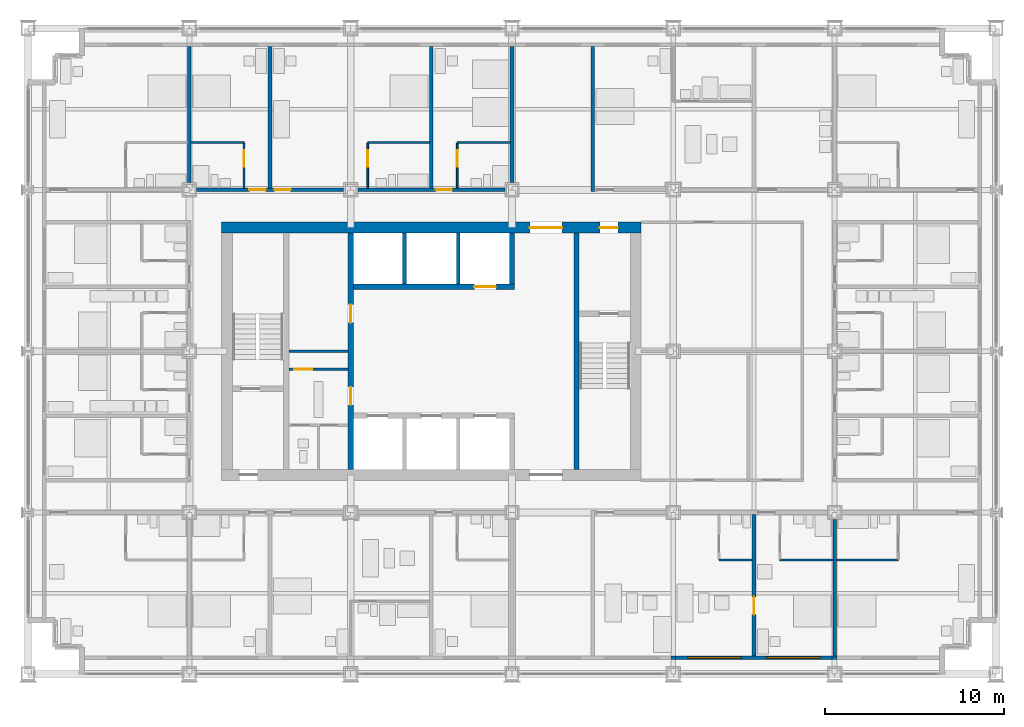
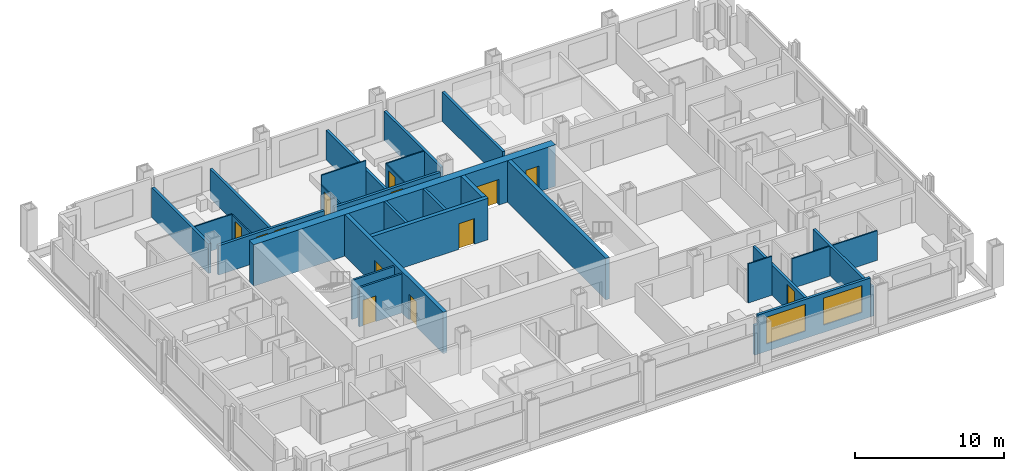
# One storey, part 12 of 18: 30 walls, 13 doors, 2 windows, 15 openings.
"""IFC4 building model written with IfcOpenShell, lengths in metres."""

import ifcopenshell
import ifcopenshell.guid

model = None  # the IFC model being written
_history = None  # IfcOwnerHistory: only IFC2X3 demands one
_inside = {}  # id of a spatial element -> (the spatial element, [elements in it])
_under = {}  # id of a project, library or spatial element -> (it, [spatial elements below it])
_declared = {}  # id of a project -> (the project, [libraries it declares])
_typed = {}  # id of a type object -> (the type object, [elements of that type])
_made_of = {}  # id of a material, layer set ... -> (it, [elements and type objects made of it])


def new_model(schema):
    """Start an empty IFC model of exactly this schema.

    Asked for "IFC4X3", IfcOpenShell would pick the latest addendum, in which some entities
    have other attributes; the version numbers below select the first issue.
    IFC2X3 requires an IfcOwnerHistory on every rooted entity: one is made here for all.
    """
    global model, _history
    if schema == "IFC4X3":
        model = ifcopenshell.file(schema_version=(4, 3, 0, 0))
    else:
        model = ifcopenshell.file(schema=schema)
    _inside.clear()
    _under.clear()
    _declared.clear()
    _typed.clear()
    _made_of.clear()
    _history = None
    if model.schema == "IFC2X3":
        org = make("IfcOrganization", Name="unknown")
        user = make(
            "IfcPersonAndOrganization",
            ThePerson=make("IfcPerson", FamilyName="unknown"),
            TheOrganization=org,
        )
        app = make(
            "IfcApplication",
            ApplicationDeveloper=org,
            Version="unknown",
            ApplicationFullName="unknown",
            ApplicationIdentifier="unknown",
        )
        _history = make(
            "IfcOwnerHistory",
            OwningUser=user,
            OwningApplication=app,
            ChangeAction="ADDED",
            CreationDate=0,
        )
    return model


def make(cls, **values):
    """One entity of the class cls with the attributes given. An attribute that is None is left unset."""
    return model.create_entity(
        cls, **{name: value for name, value in values.items() if value is not None}
    )


def rooted(cls, **values):
    """An entity with a GlobalId (a new one), such as an element, a storey or a relation."""
    return make(cls, GlobalId=ifcopenshell.guid.new(), OwnerHistory=_history, **values)


def si_unit(unit_type, name, prefix=None):
    """IfcSIUnit, for example si_unit("LENGTHUNIT", "METRE", prefix="MILLI")."""
    return make("IfcSIUnit", UnitType=unit_type, Prefix=prefix, Name=name)


def assignment(units):
    """IfcUnitAssignment: the units of a project."""
    return None if units is None else make("IfcUnitAssignment", Units=units)


def point(xyz):
    """IfcCartesianPoint."""
    return None if xyz is None else make("IfcCartesianPoint", Coordinates=xyz)


def direction(xyz):
    """IfcDirection."""
    return None if xyz is None else make("IfcDirection", DirectionRatios=xyz)


def frame(location, z_axis=None, x_axis=None):
    """IfcAxis2Placement3D, a coordinate frame: its origin and axes. An axis left out is left unset."""
    return make(
        "IfcAxis2Placement3D",
        Location=point(location),
        Axis=direction(z_axis),
        RefDirection=direction(x_axis),
    )


def frame_2d(location, x_axis=None):
    """IfcAxis2Placement2D, a coordinate frame in the plane: its origin and x axis."""
    return make(
        "IfcAxis2Placement2D", Location=point(location), RefDirection=direction(x_axis)
    )


def origin():
    """The frame at (0, 0, 0) with its axes left unset."""
    return frame((0.0, 0.0, 0.0))


def place(relative_to, where):
    """IfcLocalPlacement: puts the frame where relative to a parent placement (None: the world)."""
    return make(
        "IfcLocalPlacement", PlacementRelTo=relative_to, RelativePlacement=where
    )


def context(
    kind, dimensions, precision=None, world=None, true_north=None, identifier=None
):
    """IfcGeometricRepresentationContext, for example the 3D "Model" context."""
    return make(
        "IfcGeometricRepresentationContext",
        ContextIdentifier=identifier,
        ContextType=kind,
        CoordinateSpaceDimension=dimensions,
        Precision=precision,
        WorldCoordinateSystem=world,
        TrueNorth=true_north,
    )


def subcontext(parent, identifier, kind, view, scale=None):
    """IfcGeometricRepresentationSubContext, for example "Body" below "Model"."""
    return make(
        "IfcGeometricRepresentationSubContext",
        ContextIdentifier=identifier,
        ContextType=kind,
        ParentContext=parent,
        TargetScale=scale,
        TargetView=view,
    )


def project(units=None, contexts=None):
    """IfcProject with its units and contexts."""
    return rooted(
        "IfcProject",
        Name="project",
        RepresentationContexts=contexts,
        UnitsInContext=assignment(units),
    )


def spatial(cls, under=None, at=None, **own):
    """A site, building, storey or space (cls), placed at a placement, below another one or the project."""
    s = rooted(cls, ObjectPlacement=at, **own)
    if under is not None:
        _under.setdefault(under.id(), (under, []))[1].append(s)
    return s


def profile(cls, at=None, kind="AREA", **sizes):
    """A parametric profile (cls). Its sizes go by their IFC names, for example OverallWidth=200.0."""
    return make(cls, ProfileType=kind, Position=at, **sizes)


def rectangle(**sizes):
    """IfcRectangleProfileDef."""
    return profile("IfcRectangleProfileDef", **sizes)


def extrude(swept, where, along, depth):
    """IfcExtrudedAreaSolid: the profile swept, set in the frame where, extruded along a direction by depth."""
    return make(
        "IfcExtrudedAreaSolid",
        SweptArea=swept,
        Position=where,
        ExtrudedDirection=direction(along),
        Depth=depth,
    )


def shape(context_of_items, identifier, shape_type, items):
    """IfcShapeRepresentation: the items that make up one representation, for example the "Body"."""
    return make(
        "IfcShapeRepresentation",
        ContextOfItems=context_of_items,
        RepresentationIdentifier=identifier,
        RepresentationType=shape_type,
        Items=items,
    )


def material(Name=None, Category=None):
    """IfcMaterial."""
    return make("IfcMaterial", Name=Name, Category=Category)


def layer(
    of_material, thickness, ventilated=None, Name=None, Category=None, Priority=None
):
    """IfcMaterialLayer: one layer of a wall or slab, of a material (None: an air gap)."""
    return make(
        "IfcMaterialLayer",
        Material=of_material,
        LayerThickness=thickness,
        IsVentilated=ventilated,
        Name=Name,
        Category=Category,
        Priority=Priority,
    )


def layer_set(layers, Name=None):
    """IfcMaterialLayerSet."""
    return make("IfcMaterialLayerSet", MaterialLayers=layers, LayerSetName=Name)


def made_of(thing, what):
    """Note that an element or type object is made of a material, layer set ...; save() writes the relation."""
    if what is not None:
        _made_of.setdefault(what.id(), (what, []))[1].append(thing)
    return thing


def type_object(cls, material=None, **own):
    """A type object (cls), such as IfcWallType, which elements share."""
    return made_of(rooted(cls, **own), material)


def element(
    cls,
    number,
    at=None,
    inside=None,
    cuts=None,
    type_object=None,
    material=None,
    context=None,
    identifier="Body",
    shape_type=None,
    held_by="IfcProductDefinitionShape",
    body=None,
    shapes=None,
    **own,
):
    """One element of the class cls, such as IfcWall. Its Tag is "e" and its number.

    at: its placement. inside: the storey or other place that contains it. cuts: it is an
    opening in that element (IfcRelVoidsElement). A single representation is given by context,
    identifier, shape_type and body (its items); several are given by shapes. held_by: the class
    of the entity that holds the representations. save() writes the other relations.
    """
    e = rooted(cls, Tag="e%d" % number, ObjectPlacement=at, **own)
    if body is not None:
        shapes = [shape(context, identifier, shape_type, body)]
    if shapes is not None:
        e.Representation = make(held_by, Representations=shapes)
    if inside is not None:
        _inside.setdefault(inside.id(), (inside, []))[1].append(e)
    if cuts is not None:
        rooted(
            "IfcRelVoidsElement", RelatingBuildingElement=cuts, RelatedOpeningElement=e
        )
    if type_object is not None:
        _typed.setdefault(type_object.id(), (type_object, []))[1].append(e)
    return made_of(e, material)


def fill(opening, filler):
    """IfcRelFillsElement: the door or window that sits in an opening."""
    return rooted(
        "IfcRelFillsElement",
        RelatingOpeningElement=opening,
        RelatedBuildingElement=filler,
    )


def aggregate(whole, parts):
    """IfcRelAggregates: a whole, such as a stair, and the parts it consists of."""
    return rooted("IfcRelAggregates", RelatingObject=whole, RelatedObjects=parts)


def save(model, path):
    """Write the relations noted so far, then the file.

    IfcRelAggregates (storeys below a building ...), IfcRelContainedInSpatialStructure (elements
    in a storey), IfcRelDefinesByType, IfcRelAssociatesMaterial and IfcRelDeclares: one each for
    every whole, place, type object, material and project.
    """
    for whole, parts in _under.values():
        aggregate(whole, parts)
    for where, things in _inside.values():
        rooted(
            "IfcRelContainedInSpatialStructure",
            RelatedElements=things,
            RelatingStructure=where,
        )
    for kind, things in _typed.values():
        rooted("IfcRelDefinesByType", RelatedObjects=things, RelatingType=kind)
    for what, things in _made_of.values():
        rooted("IfcRelAssociatesMaterial", RelatedObjects=things, RelatingMaterial=what)
    for by, libraries in _declared.values():
        rooted("IfcRelDeclares", RelatingContext=by, RelatedDefinitions=libraries)
    model.write(path)


model = new_model("IFC4")

# Units and contexts
model_context = context("Model", 3, precision=1e-05, world=origin(), true_north=direction((0.0, 1.0)))
body_context = subcontext(model_context, "Body", "Model", "MODEL_VIEW")
ifc_project = project(units=[si_unit("LENGTHUNIT", "METRE"), si_unit("AREAUNIT", "SQUARE_METRE"), si_unit("VOLUMEUNIT", "CUBIC_METRE"), si_unit("PLANEANGLEUNIT", "RADIAN"), si_unit("MASSUNIT", "GRAM", prefix="KILO")], contexts=[model_context])

# Site, building, storey
site_placement = place(None, origin())
site = spatial("IfcSite", under=ifc_project, at=site_placement, CompositionType="ELEMENT")
building_placement = place(site_placement, origin())
building = spatial("IfcBuilding", under=site, at=building_placement, Name="Loomwork Tower", CompositionType="ELEMENT")
storey_placement = place(building_placement, frame((0.0, 0.0, 51.800048828125)))
storey = spatial("IfcBuildingStorey", under=building, at=storey_placement, Name="L12", CompositionType="ELEMENT", Elevation=51.800048828125)

# Wall, openings, doors
ifc_material_1 = material(Name="Concrete 14000 psi (97 MPa)", Category="concrete")
ifc_layer_1 = layer(ifc_material_1, 0.300048828125)
ifc_layer_set_1 = layer_set([ifc_layer_1], Name="Core shear wall 300")
wall_type_1 = type_object("IfcWallType", Name="Core shear wall 300", PredefinedType="SHEAR", material=ifc_layer_set_1)
wall_1_placement = place(storey_placement, frame((18.0, 11.39990234375, 0.0), z_axis=(0.0, 0.0, 1.0), x_axis=(0.0, 1.0, 0.0)))
wall_1 = element("IfcWall", 1, at=wall_1_placement, inside=storey, type_object=wall_type_1, Name="Lobby west wall L12", PredefinedType="SHEAR", context=body_context, shape_type="SweptSolid", body=[
    extrude(rectangle(XDim=13.2001953125, YDim=0.300048828125, at=frame_2d((6.60009765625, 0.0))), origin(), (0.0, 0.0, 1.0), 3.39990234375),
])
opening_1_placement = place(wall_1_placement, frame((3.60009765625, 0.0, 0.0)))
opening_1 = element("IfcOpeningElement", 2, at=opening_1_placement, cuts=wall_1, Name="Opening D5", PredefinedType="OPENING", context=body_context, shape_type="SweptSolid", body=[
    extrude(rectangle(XDim=1.0, YDim=2.10009765625, at=frame_2d((0.5, 1.050048828125))), frame((0.0, 0.159912109375, 0.0), z_axis=(0.0, -1.0, 0.0), x_axis=(1.0, 0.0, 0.0)), (0.0, 0.0, 1.0), 0.320068359375),
])
opening_2_placement = place(wall_1_placement, frame((8.199951171875, 0.0, 0.0)))
opening_2 = element("IfcOpeningElement", 3, at=opening_2_placement, cuts=wall_1, Name="Opening D5", PredefinedType="OPENING", context=body_context, shape_type="SweptSolid", body=[
    extrude(rectangle(XDim=1.0, YDim=2.10009765625, at=frame_2d((0.5, 1.050048828125))), frame((0.0, 0.159912109375, 0.0), z_axis=(0.0, -1.0, 0.0), x_axis=(1.0, 0.0, 0.0)), (0.0, 0.0, 1.0), 0.320068359375),
])
ifc_material_2 = material(Name="Hollow metal door and frame")
door_type_1 = type_object("IfcDoorType", Name="Service door 1000", OperationType="SINGLE_SWING_LEFT", PredefinedType="DOOR", material=ifc_material_2)
door_1_placement = place(opening_1_placement, origin())
door_1 = element("IfcDoor", 4, at=door_1_placement, inside=storey, type_object=door_type_1, Name="Back-of-house door south", OperationType="SINGLE_SWING_LEFT", OverallHeight=2.10009765625, OverallWidth=1.0, PredefinedType="DOOR", context=body_context, shape_type="SweptSolid", body=[
    extrude(rectangle(XDim=1.0, YDim=2.10009765625, at=frame_2d((0.5, 1.050048828125))), frame((0.0, 0.02490234375, 0.0), z_axis=(0.0, -1.0, 0.0), x_axis=(1.0, 0.0, 0.0)), (0.0, 0.0, 1.0), 0.050048828125),
])
fill(opening_1, door_1)
door_2_placement = place(opening_2_placement, origin())
door_2 = element("IfcDoor", 5, at=door_2_placement, inside=storey, type_object=door_type_1, Name="Back-of-house door north", OperationType="SINGLE_SWING_RIGHT", OverallHeight=2.10009765625, OverallWidth=1.0, PredefinedType="DOOR", context=body_context, shape_type="SweptSolid", body=[
    extrude(rectangle(XDim=1.0, YDim=2.10009765625, at=frame_2d((0.5, 1.050048828125))), frame((0.0, 0.02490234375, 0.0), z_axis=(0.0, -1.0, 0.0), x_axis=(1.0, 0.0, 0.0)), (0.0, 0.0, 1.0), 0.050048828125),
])
fill(opening_2, door_2)

# Wall, opening, door
wall_2_placement = place(storey_placement, frame((18.14990234375, 21.60009765625, 0.0), z_axis=(0.0, 0.0, 1.0), x_axis=(1.0, 0.0, 0.0)))
wall_2 = element("IfcWall", 6, at=wall_2_placement, inside=storey, type_object=wall_type_1, Name="Lift front wall north L12", PredefinedType="SHEAR", context=body_context, shape_type="SweptSolid", body=[
    extrude(rectangle(XDim=9.0, YDim=0.300048828125, at=frame_2d((4.5, 0.0))), origin(), (0.0, 0.0, 1.0), 3.39990234375),
])
opening_3_placement = place(wall_2_placement, frame((6.75, 0.0, 0.0)))
opening_3 = element("IfcOpeningElement", 7, at=opening_3_placement, cuts=wall_2, Name="Opening LD2", PredefinedType="OPENING", context=body_context, shape_type="SweptSolid", body=[
    extrude(rectangle(XDim=1.199951171875, YDim=2.10009765625, at=frame_2d((0.60009765625, 1.050048828125))), frame((0.0, 0.159912109375, 0.0), z_axis=(0.0, -1.0, 0.0), x_axis=(1.0, 0.0, 0.0)), (0.0, 0.0, 1.0), 0.320068359375),
])
ifc_material_3 = material(Name="Hollow metal door and frame")
door_type_2 = type_object("IfcDoorType", Name="Lift landing door 1200", OperationType="SLIDING_TO_LEFT", PredefinedType="DOOR", material=ifc_material_3)
door_3_placement = place(opening_3_placement, origin())
door_3 = element("IfcDoor", 8, at=door_3_placement, inside=storey, type_object=door_type_2, Name="Lift landing door LF2", OperationType="SLIDING_TO_LEFT", OverallHeight=2.10009765625, OverallWidth=1.199951171875, PredefinedType="DOOR", context=body_context, shape_type="SweptSolid", body=[
    extrude(rectangle(XDim=1.199951171875, YDim=2.10009765625, at=frame_2d((0.60009765625, 1.050048828125))), frame((0.0, 0.02490234375, 0.0), z_axis=(0.0, -1.0, 0.0), x_axis=(1.0, 0.0, 0.0)), (0.0, 0.0, 1.0), 0.050048828125),
])
fill(opening_3, door_3)

# Walls
wall_3_placement = place(storey_placement, frame((27.0, 21.75, 0.0), z_axis=(0.0, 0.0, 1.0), x_axis=(0.0, 1.0, 0.0)))
element("IfcWall", 9, at=wall_3_placement, inside=storey, type_object=wall_type_1, Name="Lift shaft end wall north L12", PredefinedType="SHEAR", context=body_context, shape_type="SweptSolid", body=[
    extrude(rectangle(XDim=2.85009765625, YDim=0.300048828125, at=frame_2d((1.425048828125, 0.0))), origin(), (0.0, 0.0, 1.0), 3.39990234375),
])
wall_4_placement = place(storey_placement, frame((30.60009765625, 11.39990234375, 0.0), z_axis=(0.0, 0.0, 1.0), x_axis=(0.0, 1.0, 0.0)))
element("IfcWall", 10, at=wall_4_placement, inside=storey, type_object=wall_type_1, Name="Stair B west wall L12", PredefinedType="SHEAR", context=body_context, shape_type="SweptSolid", body=[
    extrude(rectangle(XDim=13.2001953125, YDim=0.300048828125, at=frame_2d((6.60009765625, 0.0))), origin(), (0.0, 0.0, 1.0), 3.39990234375),
])

# Wall, openings, doors
ifc_material_4 = material(Name="Concrete 14000 psi (97 MPa)", Category="concrete")
ifc_layer_2 = layer(ifc_material_4, 0.60009765625)
ifc_layer_set_2 = layer_set([ifc_layer_2], Name="Core shear wall 600")
wall_type_2 = type_object("IfcWallType", Name="Core shear wall 600", PredefinedType="SHEAR", material=ifc_layer_set_2)
wall_5_placement = place(storey_placement, frame((10.800048828125, 24.89990234375, 0.0), z_axis=(0.0, 0.0, 1.0), x_axis=(1.0, 0.0, 0.0)))
wall_5 = element("IfcWall", 11, at=wall_5_placement, inside=storey, type_object=wall_type_2, Name="Core wall north L12", PredefinedType="SHEAR", context=body_context, shape_type="SweptSolid", body=[
    extrude(rectangle(XDim=23.39990234375, YDim=0.60009765625, at=frame_2d((11.699951171875, 0.0))), origin(), (0.0, 0.0, 1.0), 3.39990234375),
])
opening_4_placement = place(wall_5_placement, frame((17.199951171875, 0.0, 0.0)))
opening_4 = element("IfcOpeningElement", 12, at=opening_4_placement, cuts=wall_5, Name="Opening D6", PredefinedType="OPENING", context=body_context, shape_type="SweptSolid", body=[
    extrude(rectangle(XDim=1.800048828125, YDim=2.10009765625, at=frame_2d((0.89990234375, 1.050048828125))), frame((0.0, 0.31005859375, 0.0), z_axis=(0.0, -1.0, 0.0), x_axis=(1.0, 0.0, 0.0)), (0.0, 0.0, 1.0), 0.6201171875),
])
opening_5_placement = place(wall_5_placement, frame((21.10009765625, 0.0, 0.0)))
opening_5 = element("IfcOpeningElement", 13, at=opening_5_placement, cuts=wall_5, Name="Opening D4", PredefinedType="OPENING", context=body_context, shape_type="SweptSolid", body=[
    extrude(rectangle(XDim=1.0, YDim=2.10009765625, at=frame_2d((0.5, 1.050048828125))), frame((0.0, 0.31005859375, 0.0), z_axis=(0.0, -1.0, 0.0), x_axis=(1.0, 0.0, 0.0)), (0.0, 0.0, 1.0), 0.6201171875),
])
ifc_material_5 = material(Name="Hollow metal door and frame")
door_type_3 = type_object("IfcDoorType", Name="Lobby passage double door 1800", OperationType="DOUBLE_DOOR_SINGLE_SWING", PredefinedType="DOOR", material=ifc_material_5)
door_4_placement = place(opening_4_placement, frame((1.800048828125, 0.0, 0.0), z_axis=(0.0, 0.0, 1.0), x_axis=(-1.0, 0.0, 0.0)))
door_4 = element("IfcDoor", 14, at=door_4_placement, inside=storey, type_object=door_type_3, Name="Lobby passage door north", OperationType="DOUBLE_DOOR_SINGLE_SWING", OverallHeight=2.10009765625, OverallWidth=1.800048828125, PredefinedType="DOOR", context=body_context, shape_type="SweptSolid", body=[
    extrude(rectangle(XDim=1.800048828125, YDim=2.10009765625, at=frame_2d((0.89990234375, 1.050048828125))), frame((0.0, 0.02490234375, 0.0), z_axis=(0.0, -1.0, 0.0), x_axis=(1.0, 0.0, 0.0)), (0.0, 0.0, 1.0), 0.050048828125),
])
fill(opening_4, door_4)
ifc_material_6 = material(Name="Hollow metal door and frame")
door_type_4 = type_object("IfcDoorType", Name="Stair door 1000", OperationType="SINGLE_SWING_RIGHT", PredefinedType="DOOR", material=ifc_material_6)
door_5_placement = place(opening_5_placement, frame((1.0, 0.0, 0.0), z_axis=(0.0, 0.0, 1.0), x_axis=(-1.0, 0.0, 0.0)))
door_5 = element("IfcDoor", 15, at=door_5_placement, inside=storey, type_object=door_type_4, Name="Stair B vestibule door", OperationType="SINGLE_SWING_LEFT", OverallHeight=2.10009765625, OverallWidth=1.0, PredefinedType="DOOR", context=body_context, shape_type="SweptSolid", body=[
    extrude(rectangle(XDim=1.0, YDim=2.10009765625, at=frame_2d((0.5, 1.050048828125))), frame((0.0, 0.02490234375, 0.0), z_axis=(0.0, -1.0, 0.0), x_axis=(1.0, 0.0, 0.0)), (0.0, 0.0, 1.0), 0.050048828125),
])
fill(opening_5, door_5)

ifc_material_7 = material(Name="Gypsum board on steel studs, one-hour", Category="steel")
ifc_layer_3 = layer(ifc_material_7, 0.199951171875)
ifc_layer_set_3 = layer_set([ifc_layer_3], Name="Corridor wall 200")
wall_type_3 = type_object("IfcWallType", Name="Corridor wall 200", PredefinedType="PARTITIONING", material=ifc_layer_set_3)
wall_6_placement = place(storey_placement, frame((9.39990234375, 27.0, 0.0), z_axis=(0.0, 0.0, 1.0), x_axis=(1.0, 0.0, 0.0)))
wall_6 = element("IfcWall", 16, at=wall_6_placement, inside=storey, type_object=wall_type_3, Name="North corridor wall 2", PredefinedType="PARTITIONING", context=body_context, shape_type="SweptSolid", body=[
    extrude(rectangle(XDim=8.2001953125, YDim=0.199951171875, at=frame_2d((4.10009765625, 0.0))), origin(), (0.0, 0.0, 1.0), 2.405029296875),
])
opening_6_placement = place(wall_6_placement, frame((2.949951171875, 0.0, 0.0)))
opening_6 = element("IfcOpeningElement", 17, at=opening_6_placement, cuts=wall_6, Name="Opening D1", PredefinedType="OPENING", context=body_context, shape_type="SweptSolid", body=[
    extrude(rectangle(XDim=0.89990234375, YDim=2.10009765625, at=frame_2d((0.449951171875, 1.050048828125))), frame((0.0, 0.10986328125, 0.0), z_axis=(0.0, -1.0, 0.0), x_axis=(1.0, 0.0, 0.0)), (0.0, 0.0, 1.0), 0.219970703125),
])
opening_7_placement = place(wall_6_placement, frame((4.35009765625, 0.0, 0.0)))
opening_7 = element("IfcOpeningElement", 18, at=opening_7_placement, cuts=wall_6, Name="Opening D1", PredefinedType="OPENING", context=body_context, shape_type="SweptSolid", body=[
    extrude(rectangle(XDim=0.89990234375, YDim=2.10009765625, at=frame_2d((0.449951171875, 1.050048828125))), frame((0.0, 0.10986328125, 0.0), z_axis=(0.0, -1.0, 0.0), x_axis=(1.0, 0.0, 0.0)), (0.0, 0.0, 1.0), 0.219970703125),
])
ifc_material_8 = material(Name="Hollow metal door and frame")
door_type_5 = type_object("IfcDoorType", Name="Guest room entry door 900", OperationType="SINGLE_SWING_LEFT", PredefinedType="DOOR", material=ifc_material_8)
door_6_placement = place(opening_6_placement, origin())
door_6 = element("IfcDoor", 19, at=door_6_placement, inside=storey, type_object=door_type_5, Name="Guest room entry door L12 9", OperationType="SINGLE_SWING_RIGHT", OverallHeight=2.10009765625, OverallWidth=0.89990234375, PredefinedType="DOOR", context=body_context, shape_type="SweptSolid", body=[
    extrude(rectangle(XDim=0.89990234375, YDim=2.10009765625, at=frame_2d((0.449951171875, 1.050048828125))), frame((0.0, 0.02490234375, 0.0), z_axis=(0.0, -1.0, 0.0), x_axis=(1.0, 0.0, 0.0)), (0.0, 0.0, 1.0), 0.050048828125),
])
fill(opening_6, door_6)
door_7_placement = place(opening_7_placement, origin())
door_7 = element("IfcDoor", 20, at=door_7_placement, inside=storey, type_object=door_type_5, Name="Guest room entry door L12 10", OperationType="SINGLE_SWING_LEFT", OverallHeight=2.10009765625, OverallWidth=0.89990234375, PredefinedType="DOOR", context=body_context, shape_type="SweptSolid", body=[
    extrude(rectangle(XDim=0.89990234375, YDim=2.10009765625, at=frame_2d((0.449951171875, 1.050048828125))), frame((0.0, 0.02490234375, 0.0), z_axis=(0.0, -1.0, 0.0), x_axis=(1.0, 0.0, 0.0)), (0.0, 0.0, 1.0), 0.050048828125),
])
fill(opening_7, door_7)

# Wall, opening, door
wall_7_placement = place(storey_placement, frame((18.39990234375, 27.0, 0.0), z_axis=(0.0, 0.0, 1.0), x_axis=(1.0, 0.0, 0.0)))
wall_7 = element("IfcWall", 21, at=wall_7_placement, inside=storey, type_object=wall_type_3, Name="North corridor wall 3", PredefinedType="PARTITIONING", context=body_context, shape_type="SweptSolid", body=[
    extrude(rectangle(XDim=8.2001953125, YDim=0.199951171875, at=frame_2d((4.10009765625, 0.0))), origin(), (0.0, 0.0, 1.0), 2.405029296875),
])
opening_8_placement = place(wall_7_placement, frame((4.35009765625, 0.0, 0.0)))
opening_8 = element("IfcOpeningElement", 22, at=opening_8_placement, cuts=wall_7, Name="Opening D1", PredefinedType="OPENING", context=body_context, shape_type="SweptSolid", body=[
    extrude(rectangle(XDim=0.89990234375, YDim=2.10009765625, at=frame_2d((0.449951171875, 1.050048828125))), frame((0.0, 0.10986328125, 0.0), z_axis=(0.0, -1.0, 0.0), x_axis=(1.0, 0.0, 0.0)), (0.0, 0.0, 1.0), 0.219970703125),
])
door_8_placement = place(opening_8_placement, origin())
door_8 = element("IfcDoor", 23, at=door_8_placement, inside=storey, type_object=door_type_5, Name="Guest room entry door L12 11", OperationType="SINGLE_SWING_LEFT", OverallHeight=2.10009765625, OverallWidth=0.89990234375, PredefinedType="DOOR", context=body_context, shape_type="SweptSolid", body=[
    extrude(rectangle(XDim=0.89990234375, YDim=2.10009765625, at=frame_2d((0.449951171875, 1.050048828125))), frame((0.0, 0.02490234375, 0.0), z_axis=(0.0, -1.0, 0.0), x_axis=(1.0, 0.0, 0.0)), (0.0, 0.0, 1.0), 0.050048828125),
])
fill(opening_8, door_8)

# Walls
ifc_material_9 = material(Name="Cement board on steel studs", Category="steel")
ifc_layer_4 = layer(ifc_material_9, 0.10009765625)
ifc_layer_set_4 = layer_set([ifc_layer_4], Name="En-suite partition 100")
wall_type_4 = type_object("IfcWallType", Name="En-suite partition 100", PredefinedType="PARTITIONING", material=ifc_layer_set_4)
wall_8_placement = place(storey_placement, frame((38.550048828125, 6.35009765625, 0.0), z_axis=(0.0, 0.0, 1.0), x_axis=(1.0, 0.0, 0.0)))
element("IfcWall", 24, at=wall_8_placement, inside=storey, type_object=wall_type_4, Name="En-suite wall L12 room 5", PredefinedType="PARTITIONING", context=body_context, shape_type="SweptSolid", body=[
    extrude(rectangle(XDim=1.849853515625, YDim=0.10009765625, at=frame_2d((0.9248046875, 0.0))), origin(), (0.0, 0.0, 1.0), 3.199951171875),
])
wall_9_placement = place(storey_placement, frame((41.949951171875, 6.35009765625, 0.0), z_axis=(0.0, 0.0, 1.0), x_axis=(1.0, 0.0, 0.0)))
element("IfcWall", 25, at=wall_9_placement, inside=storey, type_object=wall_type_4, Name="En-suite wall L12 room 6", PredefinedType="PARTITIONING", context=body_context, shape_type="SweptSolid", body=[
    extrude(rectangle(XDim=2.949951171875, YDim=0.10009765625, at=frame_2d((1.47509765625, 0.0))), origin(), (0.0, 0.0, 1.0), 2.43798828125),
])
wall_10_placement = place(storey_placement, frame((45.10009765625, 6.35009765625, 0.0), z_axis=(0.0, 0.0, 1.0), x_axis=(1.0, 0.0, 0.0)))
element("IfcWall", 26, at=wall_10_placement, inside=storey, type_object=wall_type_4, Name="En-suite wall L12 room 7", PredefinedType="PARTITIONING", context=body_context, shape_type="SweptSolid", body=[
    extrude(rectangle(XDim=3.449951171875, YDim=0.10009765625, at=frame_2d((1.72509765625, 0.0))), origin(), (0.0, 0.0, 1.0), 2.43798828125),
])
wall_11_placement = place(storey_placement, frame((9.10009765625, 29.64990234375, 0.0), z_axis=(0.0, 0.0, 1.0), x_axis=(1.0, 0.0, 0.0)))
element("IfcWall", 27, at=wall_11_placement, inside=storey, type_object=wall_type_4, Name="En-suite wall L12 room 9", PredefinedType="PARTITIONING", context=body_context, shape_type="SweptSolid", body=[
    extrude(rectangle(XDim=2.949951171875, YDim=0.10009765625, at=frame_2d((1.47509765625, 0.0))), origin(), (0.0, 0.0, 1.0), 2.43798828125),
])

# Wall, opening, door
wall_12_placement = place(storey_placement, frame((12.050048828125, 27.10009765625, 0.0), z_axis=(0.0, 0.0, 1.0), x_axis=(0.0, 1.0, 0.0)))
wall_12 = element("IfcWall", 28, at=wall_12_placement, inside=storey, type_object=wall_type_4, Name="En-suite side wall L12 room 9", PredefinedType="PARTITIONING", context=body_context, shape_type="SweptSolid", body=[
    extrude(rectangle(XDim=2.5, YDim=0.10009765625, at=frame_2d((1.25, 0.0))), origin(), (0.0, 0.0, 1.0), 2.404052734375),
])
opening_9_placement = place(wall_12_placement, frame((1.199951171875, 0.0, 0.0)))
opening_9 = element("IfcOpeningElement", 29, at=opening_9_placement, cuts=wall_12, Name="Opening D2", PredefinedType="OPENING", context=body_context, shape_type="SweptSolid", body=[
    extrude(rectangle(XDim=0.89990234375, YDim=2.10009765625, at=frame_2d((0.449951171875, 1.050048828125))), frame((0.0, 0.06005859375, 0.0), z_axis=(0.0, -1.0, 0.0), x_axis=(1.0, 0.0, 0.0)), (0.0, 0.0, 1.0), 0.1201171875),
])
ifc_material_10 = material(Name="Hollow metal door and frame")
door_type_6 = type_object("IfcDoorType", Name="En-suite door 900", OperationType="SINGLE_SWING_LEFT", PredefinedType="DOOR", material=ifc_material_10)
door_9_placement = place(opening_9_placement, origin())
door_9 = element("IfcDoor", 30, at=door_9_placement, inside=storey, type_object=door_type_6, Name="En-suite door room 9", OperationType="SINGLE_SWING_RIGHT", OverallHeight=2.10009765625, OverallWidth=0.89990234375, PredefinedType="DOOR", context=body_context, shape_type="SweptSolid", body=[
    extrude(rectangle(XDim=0.89990234375, YDim=2.10009765625, at=frame_2d((0.449951171875, 1.050048828125))), frame((0.0, 0.02490234375, 0.0), z_axis=(0.0, -1.0, 0.0), x_axis=(1.0, 0.0, 0.0)), (0.0, 0.0, 1.0), 0.050048828125),
])
fill(opening_9, door_9)

# Wall
wall_13_placement = place(storey_placement, frame((18.949951171875, 29.64990234375, 0.0), z_axis=(0.0, 0.0, 1.0), x_axis=(1.0, 0.0, 0.0)))
element("IfcWall", 31, at=wall_13_placement, inside=storey, type_object=wall_type_4, Name="En-suite wall L12 room 10", PredefinedType="PARTITIONING", context=body_context, shape_type="SweptSolid", body=[
    extrude(rectangle(XDim=3.449951171875, YDim=0.10009765625, at=frame_2d((1.72509765625, 0.0))), origin(), (0.0, 0.0, 1.0), 3.199951171875),
])

# Wall, opening, door
wall_14_placement = place(storey_placement, frame((18.949951171875, 27.10009765625, 0.0), z_axis=(0.0, 0.0, 1.0), x_axis=(0.0, 1.0, 0.0)))
wall_14 = element("IfcWall", 32, at=wall_14_placement, inside=storey, type_object=wall_type_4, Name="En-suite side wall L12 room 10", PredefinedType="PARTITIONING", context=body_context, shape_type="SweptSolid", body=[
    extrude(rectangle(XDim=2.5, YDim=0.10009765625, at=frame_2d((1.25, 0.0))), origin(), (0.0, 0.0, 1.0), 2.404052734375),
])
opening_10_placement = place(wall_14_placement, frame((1.199951171875, 0.0, 0.0)))
opening_10 = element("IfcOpeningElement", 33, at=opening_10_placement, cuts=wall_14, Name="Opening D2", PredefinedType="OPENING", context=body_context, shape_type="SweptSolid", body=[
    extrude(rectangle(XDim=0.89990234375, YDim=2.10009765625, at=frame_2d((0.449951171875, 1.050048828125))), frame((0.0, 0.06005859375, 0.0), z_axis=(0.0, -1.0, 0.0), x_axis=(1.0, 0.0, 0.0)), (0.0, 0.0, 1.0), 0.1201171875),
])
door_10_placement = place(opening_10_placement, frame((0.89990234375, 0.0, 0.0), z_axis=(0.0, 0.0, 1.0), x_axis=(-1.0, 0.0, 0.0)))
door_10 = element("IfcDoor", 34, at=door_10_placement, inside=storey, type_object=door_type_6, Name="En-suite door room 10", OperationType="SINGLE_SWING_LEFT", OverallHeight=2.10009765625, OverallWidth=0.89990234375, PredefinedType="DOOR", context=body_context, shape_type="SweptSolid", body=[
    extrude(rectangle(XDim=0.89990234375, YDim=2.10009765625, at=frame_2d((0.449951171875, 1.050048828125))), frame((0.0, 0.02490234375, 0.0), z_axis=(0.0, -1.0, 0.0), x_axis=(1.0, 0.0, 0.0)), (0.0, 0.0, 1.0), 0.050048828125),
])
fill(opening_10, door_10)

# Wall
wall_15_placement = place(storey_placement, frame((23.949951171875, 29.64990234375, 0.0), z_axis=(0.0, 0.0, 1.0), x_axis=(1.0, 0.0, 0.0)))
element("IfcWall", 35, at=wall_15_placement, inside=storey, type_object=wall_type_4, Name="En-suite wall L12 room 11", PredefinedType="PARTITIONING", context=body_context, shape_type="SweptSolid", body=[
    extrude(rectangle(XDim=2.949951171875, YDim=0.10009765625, at=frame_2d((1.47509765625, 0.0))), origin(), (0.0, 0.0, 1.0), 2.404052734375),
])

# Wall, opening, door
wall_16_placement = place(storey_placement, frame((23.949951171875, 27.10009765625, 0.0), z_axis=(0.0, 0.0, 1.0), x_axis=(0.0, 1.0, 0.0)))
wall_16 = element("IfcWall", 36, at=wall_16_placement, inside=storey, type_object=wall_type_4, Name="En-suite side wall L12 room 11", PredefinedType="PARTITIONING", context=body_context, shape_type="SweptSolid", body=[
    extrude(rectangle(XDim=2.5, YDim=0.10009765625, at=frame_2d((1.25, 0.0))), origin(), (0.0, 0.0, 1.0), 2.404052734375),
])
opening_11_placement = place(wall_16_placement, frame((1.199951171875, 0.0, 0.0)))
opening_11 = element("IfcOpeningElement", 37, at=opening_11_placement, cuts=wall_16, Name="Opening D2", PredefinedType="OPENING", context=body_context, shape_type="SweptSolid", body=[
    extrude(rectangle(XDim=0.89990234375, YDim=2.10009765625, at=frame_2d((0.449951171875, 1.050048828125))), frame((0.0, 0.06005859375, 0.0), z_axis=(0.0, -1.0, 0.0), x_axis=(1.0, 0.0, 0.0)), (0.0, 0.0, 1.0), 0.1201171875),
])
door_11_placement = place(opening_11_placement, frame((0.89990234375, 0.0, 0.0), z_axis=(0.0, 0.0, 1.0), x_axis=(-1.0, 0.0, 0.0)))
door_11 = element("IfcDoor", 38, at=door_11_placement, inside=storey, type_object=door_type_6, Name="En-suite door room 11", OperationType="SINGLE_SWING_LEFT", OverallHeight=2.10009765625, OverallWidth=0.89990234375, PredefinedType="DOOR", context=body_context, shape_type="SweptSolid", body=[
    extrude(rectangle(XDim=0.89990234375, YDim=2.10009765625, at=frame_2d((0.449951171875, 1.050048828125))), frame((0.0, 0.02490234375, 0.0), z_axis=(0.0, -1.0, 0.0), x_axis=(1.0, 0.0, 0.0)), (0.0, 0.0, 1.0), 0.050048828125),
])
fill(opening_11, door_11)

ifc_material_11 = material(Name="Gypsum board on steel studs, acoustic", Category="steel")
ifc_layer_5 = layer(ifc_material_11, 0.199951171875)
ifc_layer_set_5 = layer_set([ifc_layer_5], Name="Guest room party wall 200")
wall_type_5 = type_object("IfcWallType", Name="Guest room party wall 200", PredefinedType="PARTITIONING", material=ifc_layer_set_5)
wall_17_placement = place(storey_placement, frame((40.5, 8.89990234375, 0.0), z_axis=(0.0, 0.0, 1.0), x_axis=(0.0, -1.0, 0.0)))
wall_17 = element("IfcWall", 39, at=wall_17_placement, inside=storey, type_object=wall_type_5, Name="Guest room party wall S 40.5", PredefinedType="PARTITIONING", context=body_context, shape_type="SweptSolid", body=[
    extrude(rectangle(XDim=7.89990234375, YDim=0.199951171875, at=frame_2d((3.949951171875, 0.0))), origin(), (0.0, 0.0, 1.0), 2.43798828125),
])
opening_12_placement = place(wall_17_placement, frame((4.60009765625, 0.0, 0.0)))
opening_12 = element("IfcOpeningElement", 40, at=opening_12_placement, cuts=wall_17, Name="Opening D7", PredefinedType="OPENING", context=body_context, shape_type="SweptSolid", body=[
    extrude(rectangle(XDim=1.0, YDim=2.10009765625, at=frame_2d((0.5, 1.050048828125))), frame((0.0, 0.10986328125, 0.0), z_axis=(0.0, -1.0, 0.0), x_axis=(1.0, 0.0, 0.0)), (0.0, 0.0, 1.0), 0.219970703125),
])
ifc_material_12 = material(Name="Hollow metal door and frame")
door_type_7 = type_object("IfcDoorType", Name="Room door 1000", OperationType="SINGLE_SWING_LEFT", PredefinedType="DOOR", material=ifc_material_12)
door_12_placement = place(opening_12_placement, origin())
door_12 = element("IfcDoor", 41, at=door_12_placement, inside=storey, type_object=door_type_7, Name="Suite connecting door L12 S 40.5", OperationType="SINGLE_SWING_LEFT", OverallHeight=2.10009765625, OverallWidth=1.0, PredefinedType="DOOR", context=body_context, shape_type="SweptSolid", body=[
    extrude(rectangle(XDim=1.0, YDim=2.10009765625, at=frame_2d((0.5, 1.050048828125))), frame((0.0, 0.02490234375, 0.0), z_axis=(0.0, -1.0, 0.0), x_axis=(1.0, 0.0, 0.0)), (0.0, 0.0, 1.0), 0.050048828125),
])
fill(opening_12, door_12)

# Walls
for number, where, z_axis, x_axis, name in (
    (42, (45.0, 8.60009765625, 0.0), (0.0, 0.0, 1.0), (0.0, -1.0, 0.0), "Guest room party wall S 45"),
    (43, (9.0, 27.39990234375, 0.0), (0.0, 0.0, 1.0), (0.0, 1.0, 0.0), "Guest room party wall N 9"),
):
    element("IfcWall", number, at=place(storey_placement, frame(where, z_axis=z_axis, x_axis=x_axis)), inside=storey, type_object=wall_type_5, Name=name, PredefinedType="PARTITIONING", context=body_context, shape_type="SweptSolid", body=[
        extrude(rectangle(XDim=7.60009765625, YDim=0.199951171875, at=frame_2d((3.800048828125, 0.0))), origin(), (0.0, 0.0, 1.0), 2.43798828125),
    ])
for number, where, z_axis, x_axis, name in (
    (44, (13.5, 27.10009765625, 0.0), (0.0, 0.0, 1.0), (0.0, 1.0, 0.0), "Guest room party wall N 13.5"),
    (45, (22.5, 27.10009765625, 0.0), (0.0, 0.0, 1.0), (0.0, 1.0, 0.0), "Guest room party wall N 22.5"),
):
    element("IfcWall", number, at=place(storey_placement, frame(where, z_axis=z_axis, x_axis=x_axis)), inside=storey, type_object=wall_type_5, Name=name, PredefinedType="PARTITIONING", context=body_context, shape_type="SweptSolid", body=[
        extrude(rectangle(XDim=7.89990234375, YDim=0.199951171875, at=frame_2d((3.949951171875, 0.0))), origin(), (0.0, 0.0, 1.0), 2.404052734375),
    ])
wall_18_placement = place(storey_placement, frame((27.0, 27.39990234375, 0.0), z_axis=(0.0, 0.0, 1.0), x_axis=(0.0, 1.0, 0.0)))
element("IfcWall", 46, at=wall_18_placement, inside=storey, type_object=wall_type_5, Name="Guest room party wall N 27", PredefinedType="PARTITIONING", context=body_context, shape_type="SweptSolid", body=[
    extrude(rectangle(XDim=7.60009765625, YDim=0.199951171875, at=frame_2d((3.800048828125, 0.0))), origin(), (0.0, 0.0, 1.0), 2.405029296875),
])
wall_19_placement = place(storey_placement, frame((31.5, 26.89990234375, 0.0), z_axis=(0.0, 0.0, 1.0), x_axis=(0.0, 1.0, 0.0)))
element("IfcWall", 47, at=wall_19_placement, inside=storey, type_object=wall_type_5, Name="Guest room party wall N 31.5", PredefinedType="PARTITIONING", context=body_context, shape_type="SweptSolid", body=[
    extrude(rectangle(XDim=8.10009765625, YDim=0.199951171875, at=frame_2d((4.050048828125, 0.0))), origin(), (0.0, 0.0, 1.0), 2.404052734375),
])
ifc_material_13 = material(Name="Insulated steel stud wall with gypsum lining", Category="steel")
ifc_layer_6 = layer(ifc_material_13, 0.199951171875)
ifc_layer_set_6 = layer_set([ifc_layer_6], Name="Inner skin wall 200")
wall_type_6 = type_object("IfcWallType", Name="Inner skin wall 200", PredefinedType="SOLIDWALL", material=ifc_layer_set_6)
wall_20_placement = place(storey_placement, frame((35.864501953125, 0.89990234375, 0.0), z_axis=(0.0, 0.0, 1.0), x_axis=(1.0, 0.0, 0.0)))
element("IfcWall", 48, at=wall_20_placement, inside=storey, type_object=wall_type_6, Name="Inner skin wall S bay 8", PredefinedType="SOLIDWALL", context=body_context, shape_type="SweptSolid", body=[
    extrude(rectangle(XDim=0.27099609375, YDim=0.199951171875, at=frame_2d((0.135498046875, 0.0))), origin(), (0.0, 0.0, 1.0), 2.43798828125),
])

# Wall, openings, windows
wall_21_placement = place(storey_placement, frame((36.135498046875, 0.89990234375, 0.0), z_axis=(0.0, 0.0, 1.0), x_axis=(1.0, 0.0, 0.0)))
wall_21 = element("IfcWall", 49, at=wall_21_placement, inside=storey, type_object=wall_type_6, Name="Inner skin wall S bay 9", PredefinedType="SOLIDWALL", context=body_context, shape_type="SweptSolid", body=[
    extrude(rectangle(XDim=8.72900390625, YDim=0.199951171875, at=frame_2d((4.364501953125, 0.0))), origin(), (0.0, 0.0, 1.0), 3.199951171875),
])
opening_13_placement = place(wall_21_placement, frame((0.66455078125, 0.0, 0.60009765625)))
opening_13 = element("IfcOpeningElement", 50, at=opening_13_placement, cuts=wall_21, Name="Opening CH1", PredefinedType="OPENING", context=body_context, shape_type="SweptSolid", body=[
    extrude(rectangle(XDim=3.0, YDim=2.199951171875, at=frame_2d((1.5, 1.10009765625))), frame((0.0, 0.10986328125, 0.0), z_axis=(0.0, -1.0, 0.0), x_axis=(1.0, 0.0, 0.0)), (0.0, 0.0, 1.0), 0.219970703125),
])
opening_14_placement = place(wall_21_placement, frame((5.064697265625, 0.0, 0.60009765625)))
opening_14 = element("IfcOpeningElement", 51, at=opening_14_placement, cuts=wall_21, Name="Opening CH1", PredefinedType="OPENING", context=body_context, shape_type="SweptSolid", body=[
    extrude(rectangle(XDim=3.0, YDim=2.199951171875, at=frame_2d((1.5, 1.10009765625))), frame((0.0, 0.10986328125, 0.0), z_axis=(0.0, -1.0, 0.0), x_axis=(1.0, 0.0, 0.0)), (0.0, 0.0, 1.0), 0.219970703125),
])
ifc_material_14 = material(Name="Aluminium frame with clear insulated glass", Category="aluminium")
window_type = type_object("IfcWindowType", Name="Chicago window 3000", PartitioningType="TRIPLE_PANEL_VERTICAL", PredefinedType="WINDOW", material=ifc_material_14)
window_1_placement = place(opening_13_placement, origin())
window_1 = element("IfcWindow", 52, at=window_1_placement, inside=storey, type_object=window_type, Name="Chicago window L12 bay 5", OverallHeight=2.199951171875, OverallWidth=3.0, PartitioningType="TRIPLE_PANEL_VERTICAL", PredefinedType="WINDOW", context=body_context, shape_type="SweptSolid", body=[
    extrude(rectangle(XDim=3.0, YDim=2.199951171875, at=frame_2d((1.5, 1.10009765625))), frame((0.0, 0.030029296875, 0.0), z_axis=(0.0, -1.0, 0.0), x_axis=(1.0, 0.0, 0.0)), (0.0, 0.0, 1.0), 0.06005859375),
])
fill(opening_13, window_1)
window_2_placement = place(opening_14_placement, origin())
window_2 = element("IfcWindow", 53, at=window_2_placement, inside=storey, type_object=window_type, Name="Chicago window L12 bay 5", OverallHeight=2.199951171875, OverallWidth=3.0, PartitioningType="TRIPLE_PANEL_VERTICAL", PredefinedType="WINDOW", context=body_context, shape_type="SweptSolid", body=[
    extrude(rectangle(XDim=3.0, YDim=2.199951171875, at=frame_2d((1.5, 1.10009765625))), frame((0.0, 0.030029296875, 0.0), z_axis=(0.0, -1.0, 0.0), x_axis=(1.0, 0.0, 0.0)), (0.0, 0.0, 1.0), 0.06005859375),
])
fill(opening_14, window_2)

# Walls
wall_22_placement = place(storey_placement, frame((44.864501953125, 0.89990234375, 0.0), z_axis=(0.0, 0.0, 1.0), x_axis=(1.0, 0.0, 0.0)))
element("IfcWall", 54, at=wall_22_placement, inside=storey, type_object=wall_type_6, Name="Inner skin wall S bay 10", PredefinedType="SOLIDWALL", context=body_context, shape_type="SweptSolid", body=[
    extrude(rectangle(XDim=0.27099609375, YDim=0.199951171875, at=frame_2d((0.135498046875, 0.0))), origin(), (0.0, 0.0, 1.0), 2.43798828125),
])
ifc_material_15 = material(Name="Concrete 14000 psi (97 MPa)", Category="concrete")
ifc_layer_7 = layer(ifc_material_15, 0.199951171875)
ifc_layer_set_7 = layer_set([ifc_layer_7], Name="Lift shaft wall 200")
wall_type_7 = type_object("IfcWallType", Name="Lift shaft wall 200", PredefinedType="SHEAR", material=ifc_layer_set_7)
for number, where, z_axis, x_axis, name in (
    (55, (21.0, 21.75, 0.0), (0.0, 0.0, 1.0), (0.0, 1.0, 0.0), "Lift shaft separation wall north 1 L12"),
    (56, (24.0, 21.75, 0.0), (0.0, 0.0, 1.0), (0.0, 1.0, 0.0), "Lift shaft separation wall north 2 L12"),
):
    element("IfcWall", number, at=place(storey_placement, frame(where, z_axis=z_axis, x_axis=x_axis)), inside=storey, type_object=wall_type_7, Name=name, PredefinedType="SHEAR", context=body_context, shape_type="SweptSolid", body=[
        extrude(rectangle(XDim=2.85009765625, YDim=0.199951171875, at=frame_2d((1.425048828125, 0.0))), origin(), (0.0, 0.0, 1.0), 3.39990234375),
    ])
ifc_material_16 = material(Name="Gypsum board on steel studs", Category="steel")
ifc_layer_8 = layer(ifc_material_16, 0.14990234375)
ifc_layer_set_8 = layer_set([ifc_layer_8], Name="Partition 150 two-hour")
wall_type_8 = type_object("IfcWallType", Name="Partition 150 two-hour", PredefinedType="PARTITIONING", material=ifc_layer_set_8)
wall_23_placement = place(storey_placement, frame((14.550048828125, 18.0, 0.0), z_axis=(0.0, 0.0, 1.0), x_axis=(1.0, 0.0, 0.0)))
element("IfcWall", 57, at=wall_23_placement, inside=storey, type_object=wall_type_8, Name="Back-of-house dividing wall L12", PredefinedType="PARTITIONING", context=body_context, shape_type="SweptSolid", body=[
    extrude(rectangle(XDim=3.300048828125, YDim=0.14990234375, at=frame_2d((1.64990234375, 0.0))), origin(), (0.0, 0.0, 1.0), 3.199951171875),
])

# Wall, opening, door
ifc_material_17 = material(Name="Gypsum board on steel studs, one-hour", Category="steel")
ifc_layer_9 = layer(ifc_material_17, 0.14990234375)
ifc_layer_set_9 = layer_set([ifc_layer_9], Name="Service partition 150")
wall_type_9 = type_object("IfcWallType", Name="Service partition 150", PredefinedType="PARTITIONING", material=ifc_layer_set_9)
wall_24_placement = place(storey_placement, frame((14.550048828125, 17.0, 0.0), z_axis=(0.0, 0.0, 1.0), x_axis=(1.0, 0.0, 0.0)))
wall_24 = element("IfcWall", 58, at=wall_24_placement, inside=storey, type_object=wall_type_9, Name="Riser enclosure L12", PredefinedType="PARTITIONING", context=body_context, shape_type="SweptSolid", body=[
    extrude(rectangle(XDim=3.300048828125, YDim=0.14990234375, at=frame_2d((1.64990234375, 0.0))), origin(), (0.0, 0.0, 1.0), 3.199951171875),
])
opening_15_placement = place(wall_24_placement, frame((0.300048828125, 0.0, 0.0)))
opening_15 = element("IfcOpeningElement", 59, at=opening_15_placement, cuts=wall_24, Name="Opening D18", PredefinedType="OPENING", context=body_context, shape_type="SweptSolid", body=[
    extrude(rectangle(XDim=1.0, YDim=2.10009765625, at=frame_2d((0.5, 1.050048828125))), frame((0.0, 0.0849609375, 0.0), z_axis=(0.0, -1.0, 0.0), x_axis=(1.0, 0.0, 0.0)), (0.0, 0.0, 1.0), 0.169921875),
])
ifc_material_18 = material(Name="Hollow metal door and frame")
door_type_8 = type_object("IfcDoorType", Name="Ninety-minute service door 1000", OperationType="SINGLE_SWING_LEFT", PredefinedType="DOOR", material=ifc_material_18)
door_13_placement = place(opening_15_placement, frame((1.0, 0.0, 0.0), z_axis=(0.0, 0.0, 1.0), x_axis=(-1.0, 0.0, 0.0)))
door_13 = element("IfcDoor", 60, at=door_13_placement, inside=storey, type_object=door_type_8, Name="Riser access door", OperationType="SINGLE_SWING_RIGHT", OverallHeight=2.10009765625, OverallWidth=1.0, PredefinedType="DOOR", context=body_context, shape_type="SweptSolid", body=[
    extrude(rectangle(XDim=1.0, YDim=2.10009765625, at=frame_2d((0.5, 1.050048828125))), frame((0.0, 0.02490234375, 0.0), z_axis=(0.0, -1.0, 0.0), x_axis=(1.0, 0.0, 0.0)), (0.0, 0.0, 1.0), 0.050048828125),
])
fill(opening_15, door_13)

save(model, "model.ifc")
